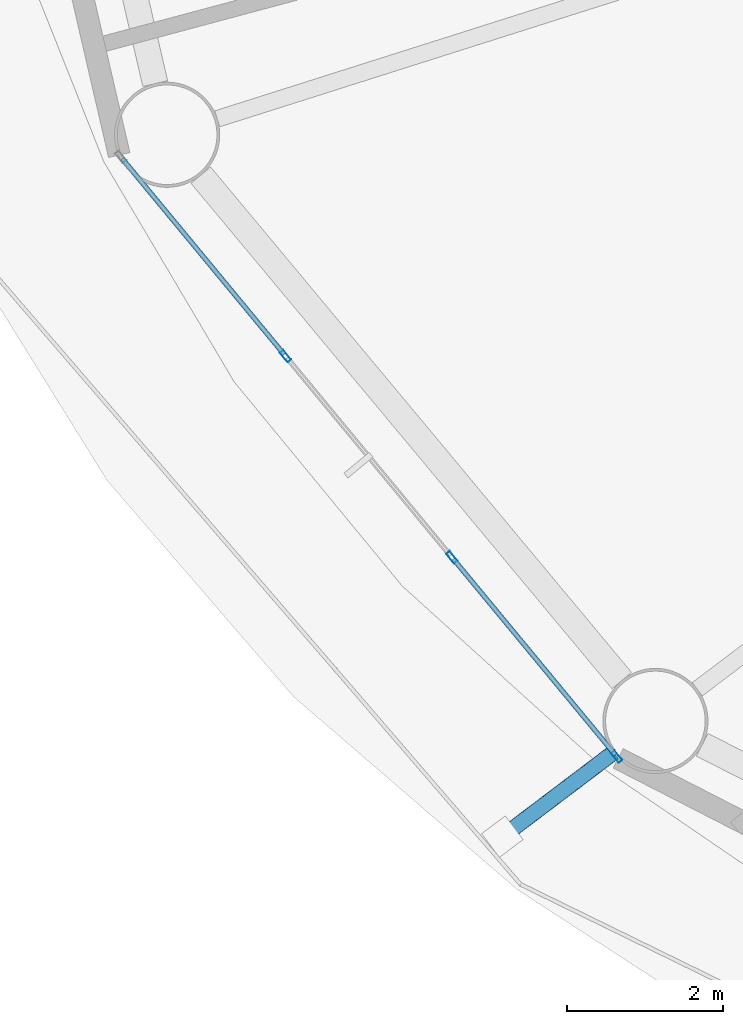
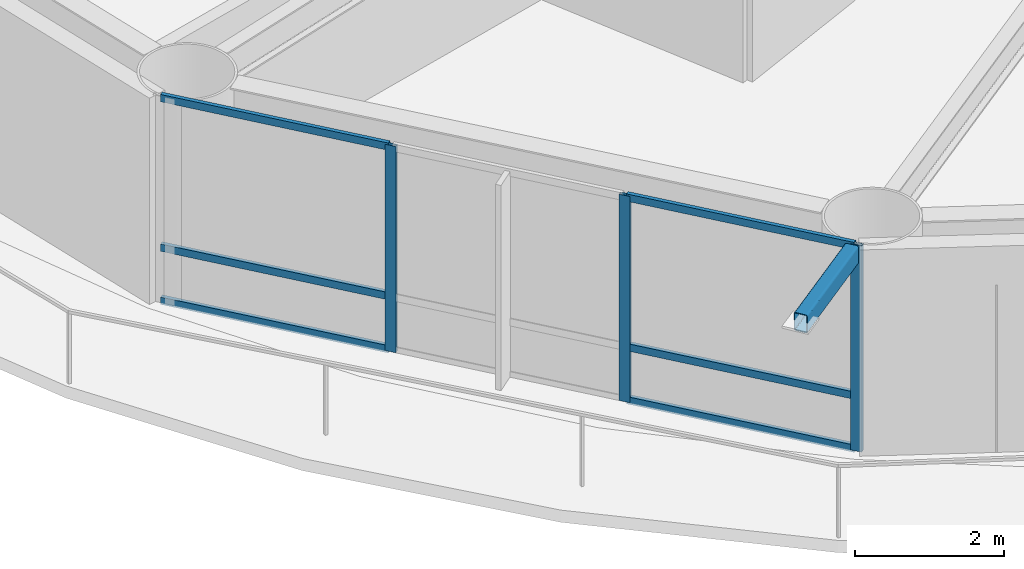
# One storey, part 2 of 26: 10 members, 1 element without a shape of its own.
"""IFC4 building model written with IfcOpenShell, lengths in metres."""

from ifc_helpers import new_model, si_unit, direction, frame, origin, origin_2d, place, context, subcontext, project, spatial, hollow_rectangle, extrude, material, layer, layer_set, material_profile, profile_set, type_object, element, aggregate, save


model = new_model("IFC4")

# Units and contexts
model_context = context("Model", 3, precision=1e-05, world=origin(), true_north=direction((0.0, 1.0)))
body_context = subcontext(model_context, "Body", "Model", "MODEL_VIEW")
ifc_project = project(units=[si_unit("LENGTHUNIT", "METRE"), si_unit("AREAUNIT", "SQUARE_METRE"), si_unit("VOLUMEUNIT", "CUBIC_METRE"), si_unit("PLANEANGLEUNIT", "RADIAN"), si_unit("MASSUNIT", "GRAM", prefix="KILO")], contexts=[model_context])

# Site, building, storey
site_placement = place(None, origin())
site = spatial("IfcSite", under=ifc_project, at=site_placement, CompositionType="ELEMENT")
building_placement = place(site_placement, origin())
building = spatial("IfcBuilding", under=site, at=building_placement, Name="Sarneth Arch Tower", CompositionType="ELEMENT")
storey_placement = place(building_placement, frame((0.0, 0.0, 39.0)))
storey = spatial("IfcBuildingStorey", under=building, at=storey_placement, Name="L08", CompositionType="ELEMENT", Elevation=39.0)

# Curtain wall, members
ifc_material_1 = material(Name="Anodised aluminium Type AA25 and solar-control low-e laminated IGU", Category="aluminium")
ifc_layer = layer(ifc_material_1, 0.159912109375)
ifc_layer_set = layer_set([ifc_layer], Name="Anodised aluminium Type AA25 and solar-control low-e laminated IGU")
curtain_wall_type = type_object("IfcCurtainWallType", Name="CW-HOTEL-LOW", PredefinedType="NOTDEFINED", material=ifc_layer_set)
curtain_wall_placement = place(storey_placement, origin())
curtain_wall = element("IfcCurtainWall", 1, at=curtain_wall_placement, inside=storey, type_object=curtain_wall_type, Name="L08 Unitised curtain wall facet 10", PredefinedType="NOTDEFINED")
ifc_material_2 = material(Name="Anodised Aluminium 6063-T6", Category="aluminium")
ifc_material_profile_1 = material_profile(ifc_material_2, hollow_rectangle(XDim=0.06005859375, YDim=0.159912109375, WallThickness=0.00390625, at=origin_2d()), Name="AL-MULL-160x60x4")
ifc_profile_set_1 = profile_set([ifc_material_profile_1], Name="Anodised Aluminium 6063-T6")
member_type_1 = type_object("IfcMemberType", Name="CW-MULLION", PredefinedType="MULLION", material=ifc_profile_set_1)
member_1_placement = place(storey_placement, frame((21.5546875, 30.279052734375, 0.0), z_axis=(0.0, 0.0, 1.0), x_axis=(0.770622960278, 0.637291340827, 0.0)))
member_1 = element("IfcMember", 2, at=member_1_placement, type_object=member_type_1, Name="CW-SYS-3 mullion 2", PredefinedType="MULLION", context=body_context, shape_type="SweptSolid", body=[
    extrude(hollow_rectangle(XDim=0.06005859375, YDim=0.159912109375, WallThickness=0.00390625, at=origin_2d()), origin(), (0.0, 0.0, 1.0), 3.3798828125),
])
member_2_placement = place(storey_placement, frame((23.690185546875, 27.69677734375, 0.0), z_axis=(0.0, 0.0, 1.0), x_axis=(0.770622960278, 0.637291340827, 0.0)))
member_2 = element("IfcMember", 3, at=member_2_placement, type_object=member_type_1, Name="CW-SYS-3 mullion 3", PredefinedType="MULLION", context=body_context, shape_type="SweptSolid", body=[
    extrude(hollow_rectangle(XDim=0.06005859375, YDim=0.159912109375, WallThickness=0.00390625, at=origin_2d()), origin(), (0.0, 0.0, 1.0), 3.3798828125),
])
member_3_placement = place(storey_placement, frame((25.806640625, 25.137451171875, 0.0), z_axis=(0.0, 0.0, 1.0), x_axis=(0.770622960278, 0.637291340827, 0.0)))
member_3 = element("IfcMember", 4, at=member_3_placement, type_object=member_type_1, Name="CW-SYS-3 mullion 4", PredefinedType="MULLION", context=body_context, shape_type="SweptSolid", body=[
    extrude(hollow_rectangle(XDim=0.06005859375, YDim=0.159912109375, WallThickness=0.00390625, at=origin_2d()), origin(), (0.0, 0.0, 1.0), 3.3798828125),
])
ifc_material_3 = material(Name="Anodised Aluminium 6063-T6", Category="aluminium")
ifc_material_profile_2 = material_profile(ifc_material_3, hollow_rectangle(XDim=0.06005859375, YDim=0.1201171875, WallThickness=0.00390625, at=origin_2d()), Name="AL-TRAN-120x60x4")
ifc_profile_set_2 = profile_set([ifc_material_profile_2], Name="Anodised Aluminium 6063-T6")
member_type_2 = type_object("IfcMemberType", Name="CW-TRANSOM", PredefinedType="USERDEFINED", material=ifc_profile_set_2)
member_4_placement = place(storey_placement, frame((19.457275390625, 32.815185546875, 0.030029296875), z_axis=(0.63733019572, -0.77059082633, 0.0), x_axis=(0.77059082633, 0.63733019572, 0.0)))
member_4 = element("IfcMember", 5, at=member_4_placement, type_object=member_type_2, Name="CW-SYS-3 transom 1.1", ObjectType="TRANSOM", PredefinedType="USERDEFINED", context=body_context, shape_type="SweptSolid", body=[
    extrude(hollow_rectangle(XDim=0.06005859375, YDim=0.1201171875, WallThickness=0.00390625, at=origin_2d()), origin(), (0.0, 0.0, 1.0), 3.260986328125),
])
member_5_placement = place(storey_placement, frame((19.457275390625, 32.815185546875, 0.89990234375), z_axis=(0.63733019572, -0.77059082633, 0.0), x_axis=(0.77059082633, 0.63733019572, 0.0)))
member_5 = element("IfcMember", 6, at=member_5_placement, type_object=member_type_2, Name="CW-SYS-3 transom 1.2", ObjectType="TRANSOM", PredefinedType="USERDEFINED", context=body_context, shape_type="SweptSolid", body=[
    extrude(hollow_rectangle(XDim=0.06005859375, YDim=0.1201171875, WallThickness=0.00390625, at=origin_2d()), origin(), (0.0, 0.0, 1.0), 3.260986328125),
])
member_6_placement = place(storey_placement, frame((19.457275390625, 32.815185546875, 3.35009765625), z_axis=(0.63733019572, -0.77059082633, 0.0), x_axis=(0.77059082633, 0.63733019572, 0.0)))
member_6 = element("IfcMember", 7, at=member_6_placement, type_object=member_type_2, Name="CW-SYS-3 transom 1.3", ObjectType="TRANSOM", PredefinedType="USERDEFINED", context=body_context, shape_type="SweptSolid", body=[
    extrude(hollow_rectangle(XDim=0.06005859375, YDim=0.1201171875, WallThickness=0.00390625, at=origin_2d()), origin(), (0.0, 0.0, 1.0), 3.260986328125),
])
member_7_placement = place(storey_placement, frame((23.70947265625, 27.673583984375, 0.030029296875), z_axis=(0.637285736625, -0.770627594817, 0.0), x_axis=(0.770627594817, 0.637285736625, 0.0)))
member_7 = element("IfcMember", 8, at=member_7_placement, type_object=member_type_2, Name="CW-SYS-3 transom 3.1", ObjectType="TRANSOM", PredefinedType="USERDEFINED", context=body_context, shape_type="SweptSolid", body=[
    extrude(hollow_rectangle(XDim=0.06005859375, YDim=0.1201171875, WallThickness=0.00390625, at=origin_2d()), origin(), (0.0, 0.0, 1.0), 3.260986328125),
])
member_8_placement = place(storey_placement, frame((23.70947265625, 27.673583984375, 0.89990234375), z_axis=(0.637285736625, -0.770627594817, 0.0), x_axis=(0.770627594817, 0.637285736625, 0.0)))
member_8 = element("IfcMember", 9, at=member_8_placement, type_object=member_type_2, Name="CW-SYS-3 transom 3.2", ObjectType="TRANSOM", PredefinedType="USERDEFINED", context=body_context, shape_type="SweptSolid", body=[
    extrude(hollow_rectangle(XDim=0.06005859375, YDim=0.1201171875, WallThickness=0.00390625, at=origin_2d()), origin(), (0.0, 0.0, 1.0), 3.260986328125),
])
member_9_placement = place(storey_placement, frame((23.70947265625, 27.673583984375, 3.35009765625), z_axis=(0.637285736625, -0.770627594817, 0.0), x_axis=(0.770627594817, 0.637285736625, 0.0)))
member_9 = element("IfcMember", 10, at=member_9_placement, type_object=member_type_2, Name="CW-SYS-3 transom 3.3", ObjectType="TRANSOM", PredefinedType="USERDEFINED", context=body_context, shape_type="SweptSolid", body=[
    extrude(hollow_rectangle(XDim=0.06005859375, YDim=0.1201171875, WallThickness=0.00390625, at=origin_2d()), origin(), (0.0, 0.0, 1.0), 3.260986328125),
])
aggregate(curtain_wall, [member_1, member_2, member_3, member_4, member_5, member_6, member_7, member_8, member_9])

# Member
ifc_material_4 = material(Name="Steel S355", Category="steel")
ifc_material_profile_3 = material_profile(ifc_material_4, hollow_rectangle(XDim=0.199951171875, YDim=0.300048828125, WallThickness=0.012451171875, InnerFilletRadius=0.018798828125, OuterFilletRadius=0.03125, at=origin_2d()), Name="RHS300x200x12.5")
ifc_profile_set_3 = profile_set([ifc_material_profile_3], Name="Steel S355")
member_type_3 = type_object("IfcMemberType", Name="MEM-CANT-STRUT", PredefinedType="STRUT", material=ifc_profile_set_3)
member_10_placement = place(storey_placement, frame((25.764892578125, 25.18798828125, 3.219970703125), z_axis=(-0.797651322252, -0.603118867313, 0.0), x_axis=(0.603118867313, -0.797651322252, 0.0)))
element("IfcMember", 11, at=member_10_placement, inside=storey, type_object=member_type_3, Name="L08 Balcony cantilever bracket 11", PredefinedType="STRUT", context=body_context, shape_type="SweptSolid", body=[
    extrude(hollow_rectangle(XDim=0.199951171875, YDim=0.300048828125, WallThickness=0.012451171875, InnerFilletRadius=0.018798828125, OuterFilletRadius=0.03125, at=origin_2d()), origin(), (0.0, 0.0, 1.0), 1.788330078125),
])

save(model, "model.ifc")
